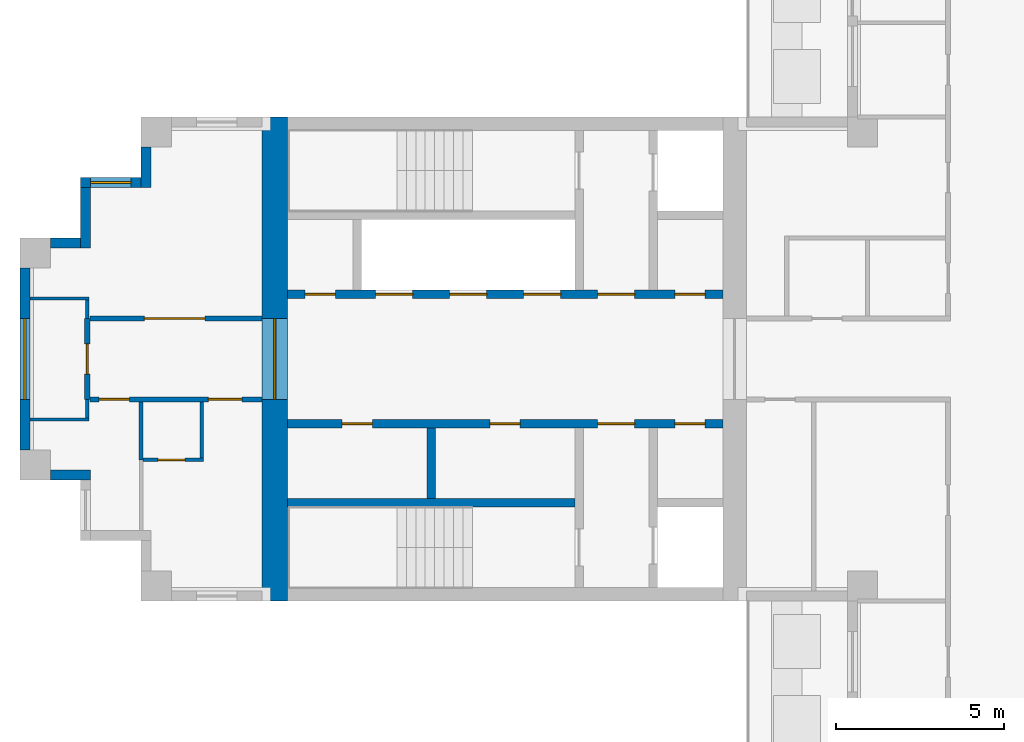
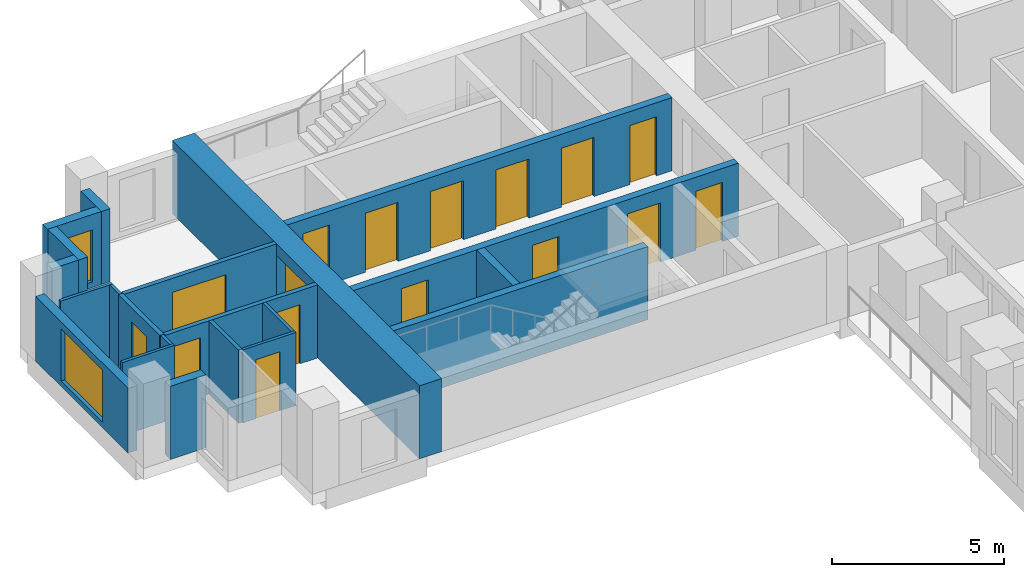
# One storey, part 3 of 10: 21 walls, 16 doors, 2 windows, 18 openings.
"""IFC4 building model written with IfcOpenShell, lengths in metres."""

from ifc_helpers import new_model, si_unit, direction, frame, frame_2d, origin, place, context, subcontext, project, spatial, rectangle, extrude, material, layer, layer_set, type_object, element, fill, save


model = new_model("IFC4")

# Units and contexts
model_context = context("Model", 3, precision=1e-05, world=origin(), true_north=direction((0.0, 1.0)))
body_context = subcontext(model_context, "Body", "Model", "MODEL_VIEW")
ifc_project = project(units=[si_unit("LENGTHUNIT", "METRE"), si_unit("AREAUNIT", "SQUARE_METRE"), si_unit("VOLUMEUNIT", "CUBIC_METRE"), si_unit("PLANEANGLEUNIT", "RADIAN"), si_unit("MASSUNIT", "GRAM", prefix="KILO")], contexts=[model_context])

# Site, building, storey
site_placement = place(None, origin())
site = spatial("IfcSite", under=ifc_project, at=site_placement, CompositionType="ELEMENT")
building_placement = place(site_placement, origin())
building = spatial("IfcBuilding", under=site, at=building_placement, Name="Fustian Cross Tower", CompositionType="ELEMENT")
storey_placement = place(building_placement, frame((0.0, 0.0, 228.89990234375)))
storey = spatial("IfcBuildingStorey", under=building, at=storey_placement, Name="L72", CompositionType="ELEMENT", Elevation=228.89990234375)

# Wall, opening, door
ifc_material_1 = material(Name="Plasterboard on steel stud", Category="steel")
ifc_layer_1 = layer(ifc_material_1, 0.14990234375)
ifc_layer_set_1 = layer_set([ifc_layer_1], Name="Plasterboard on steel stud")
wall_type_1 = type_object("IfcWallType", Name="COMPARTMENT WALL 150 EI 60", PredefinedType="PARTITIONING", material=ifc_layer_set_1)
wall_1_placement = place(storey_placement, frame((-26.800048828125, -1.199951171875, 0.0), z_axis=(0.0, 0.0, 1.0), x_axis=(0.0, 1.0, 0.0)))
wall_1 = element("IfcWall", 1, at=wall_1_placement, inside=storey, type_object=wall_type_1, Name="Partition 4", PredefinedType="PARTITIONING", context=body_context, shape_type="SweptSolid", body=[
    extrude(rectangle(XDim=2.39990234375, YDim=0.14990234375, at=frame_2d((1.199951171875, 0.0))), origin(), (0.0, 0.0, 1.0), 2.60009765625),
])
opening_1_placement = place(wall_1_placement, frame((0.75, 0.0, 0.0)))
opening_1 = element("IfcOpeningElement", 2, at=opening_1_placement, cuts=wall_1, Name="Opening D32024", PredefinedType="OPENING", context=body_context, shape_type="SweptSolid", body=[
    extrude(rectangle(XDim=0.89990234375, YDim=2.10009765625, at=frame_2d((0.449951171875, 1.050048828125))), frame((0.0, 0.0849609375, 0.0), z_axis=(0.0, -1.0, 0.0), x_axis=(1.0, 0.0, 0.0)), (0.0, 0.0, 1.0), 0.169921875),
])
ifc_material_2 = material(Name="Timber fire door set", Category="wood")
door_type_1 = type_object("IfcDoorType", Name="FIRE SWING DOOR 900 FD30S", OperationType="SINGLE_SWING_LEFT", PredefinedType="DOOR", material=ifc_material_2)
door_1_placement = place(opening_1_placement, origin())
door_1 = element("IfcDoor", 3, at=door_1_placement, inside=storey, type_object=door_type_1, Name="Door D32024", OperationType="SINGLE_SWING_LEFT", OverallHeight=2.10009765625, OverallWidth=0.89990234375, PredefinedType="DOOR", context=body_context, shape_type="SweptSolid", body=[
    extrude(rectangle(XDim=0.89990234375, YDim=2.10009765625, at=frame_2d((0.449951171875, 1.050048828125))), frame((0.0, 0.02490234375, 0.0), z_axis=(0.0, -1.0, 0.0), x_axis=(1.0, 0.0, 0.0)), (0.0, 0.0, 1.0), 0.050048828125),
])
fill(opening_1, door_1)

# Wall, openings, doors
wall_2_placement = place(storey_placement, frame((-26.72509765625, -1.199951171875, 0.0), z_axis=(0.0, 0.0, 1.0), x_axis=(1.0, 0.0, 0.0)))
wall_2 = element("IfcWall", 4, at=wall_2_placement, inside=storey, type_object=wall_type_1, Name="Partition 5", PredefinedType="PARTITIONING", context=body_context, shape_type="SweptSolid", body=[
    extrude(rectangle(XDim=5.125, YDim=0.14990234375, at=frame_2d((2.5625, 0.0))), origin(), (0.0, 0.0, 1.0), 2.60009765625),
])
opening_2_placement = place(wall_2_placement, frame((3.52490234375, 0.0, 0.0)))
opening_2 = element("IfcOpeningElement", 5, at=opening_2_placement, cuts=wall_2, Name="Opening D32026", PredefinedType="OPENING", context=body_context, shape_type="SweptSolid", body=[
    extrude(rectangle(XDim=1.0, YDim=2.10009765625, at=frame_2d((0.5, 1.050048828125))), frame((0.0, 0.0849609375, 0.0), z_axis=(0.0, -1.0, 0.0), x_axis=(1.0, 0.0, 0.0)), (0.0, 0.0, 1.0), 0.169921875),
])
opening_3_placement = place(wall_2_placement, frame((0.27490234375, 0.0, 0.0)))
opening_3 = element("IfcOpeningElement", 6, at=opening_3_placement, cuts=wall_2, Name="Opening D32027", PredefinedType="OPENING", context=body_context, shape_type="SweptSolid", body=[
    extrude(rectangle(XDim=0.89990234375, YDim=2.10009765625, at=frame_2d((0.449951171875, 1.050048828125))), frame((0.0, 0.0849609375, 0.0), z_axis=(0.0, -1.0, 0.0), x_axis=(1.0, 0.0, 0.0)), (0.0, 0.0, 1.0), 0.169921875),
])
ifc_material_3 = material(Name="Timber fire door set", Category="wood")
door_type_2 = type_object("IfcDoorType", Name="FIRE SWING DOOR 1000 FD30S", OperationType="SINGLE_SWING_LEFT", PredefinedType="DOOR", material=ifc_material_3)
door_2_placement = place(opening_2_placement, frame((1.0, 0.0, 0.0), z_axis=(0.0, 0.0, 1.0), x_axis=(-1.0, 0.0, 0.0)))
door_2 = element("IfcDoor", 7, at=door_2_placement, inside=storey, type_object=door_type_2, Name="Door D32026", OperationType="SINGLE_SWING_RIGHT", OverallHeight=2.10009765625, OverallWidth=1.0, PredefinedType="DOOR", context=body_context, shape_type="SweptSolid", body=[
    extrude(rectangle(XDim=1.0, YDim=2.10009765625, at=frame_2d((0.5, 1.050048828125))), frame((0.0, 0.02490234375, 0.0), z_axis=(0.0, -1.0, 0.0), x_axis=(1.0, 0.0, 0.0)), (0.0, 0.0, 1.0), 0.050048828125),
])
fill(opening_2, door_2)
door_3_placement = place(opening_3_placement, frame((0.89990234375, 0.0, 0.0), z_axis=(0.0, 0.0, 1.0), x_axis=(-1.0, 0.0, 0.0)))
door_3 = element("IfcDoor", 8, at=door_3_placement, inside=storey, type_object=door_type_1, Name="Door D32027", OperationType="SINGLE_SWING_RIGHT", OverallHeight=2.10009765625, OverallWidth=0.89990234375, PredefinedType="DOOR", context=body_context, shape_type="SweptSolid", body=[
    extrude(rectangle(XDim=0.89990234375, YDim=2.10009765625, at=frame_2d((0.449951171875, 1.050048828125))), frame((0.0, 0.02490234375, 0.0), z_axis=(0.0, -1.0, 0.0), x_axis=(1.0, 0.0, 0.0)), (0.0, 0.0, 1.0), 0.050048828125),
])
fill(opening_3, door_3)

# Wall, opening, door
wall_3_placement = place(storey_placement, frame((-26.72509765625, 1.199951171875, 0.0), z_axis=(0.0, 0.0, 1.0), x_axis=(1.0, 0.0, 0.0)))
wall_3 = element("IfcWall", 9, at=wall_3_placement, inside=storey, type_object=wall_type_1, Name="Partition 7", PredefinedType="PARTITIONING", context=body_context, shape_type="SweptSolid", body=[
    extrude(rectangle(XDim=5.125, YDim=0.14990234375, at=frame_2d((2.5625, 0.0))), origin(), (0.0, 0.0, 1.0), 2.60009765625),
])
opening_4_placement = place(wall_3_placement, frame((1.625, 0.0, 0.0)))
opening_4 = element("IfcOpeningElement", 10, at=opening_4_placement, cuts=wall_3, Name="Opening D32028", PredefinedType="OPENING", context=body_context, shape_type="SweptSolid", body=[
    extrude(rectangle(XDim=1.800048828125, YDim=2.10009765625, at=frame_2d((0.89990234375, 1.050048828125))), frame((0.0, 0.0849609375, 0.0), z_axis=(0.0, -1.0, 0.0), x_axis=(1.0, 0.0, 0.0)), (0.0, 0.0, 1.0), 0.169921875),
])
ifc_material_4 = material(Name="Timber fire door set", Category="wood")
door_type_3 = type_object("IfcDoorType", Name="FIRE DOUBLE DOOR 1800 FD30S", OperationType="DOUBLE_DOOR_DOUBLE_SWING", PredefinedType="DOOR", material=ifc_material_4)
door_4_placement = place(opening_4_placement, frame((1.800048828125, 0.0, 0.0), z_axis=(0.0, 0.0, 1.0), x_axis=(-1.0, 0.0, 0.0)))
door_4 = element("IfcDoor", 11, at=door_4_placement, inside=storey, type_object=door_type_3, Name="Door D32028", OperationType="DOUBLE_DOOR_DOUBLE_SWING", OverallHeight=2.10009765625, OverallWidth=1.800048828125, PredefinedType="DOOR", context=body_context, shape_type="SweptSolid", body=[
    extrude(rectangle(XDim=1.800048828125, YDim=2.10009765625, at=frame_2d((0.89990234375, 1.050048828125))), frame((0.0, 0.02490234375, 0.0), z_axis=(0.0, -1.0, 0.0), x_axis=(1.0, 0.0, 0.0)), (0.0, 0.0, 1.0), 0.050048828125),
])
fill(opening_4, door_4)

ifc_material_5 = material(Name="Concrete C50/60", Category="concrete")
ifc_layer_2 = layer(ifc_material_5, 0.75)
ifc_layer_set_2 = layer_set([ifc_layer_2], Name="Concrete C50/60")
wall_type_2 = type_object("IfcWallType", Name="CORE END WALL 750 C50/60", PredefinedType="SHEAR", material=ifc_layer_set_2)
wall_4_placement = place(storey_placement, frame((-21.22509765625, -7.199951171875, 0.0), z_axis=(0.0, 0.0, 1.0), x_axis=(0.0, 1.0, 0.0)))
wall_4 = element("IfcWall", 12, at=wall_4_placement, inside=storey, type_object=wall_type_2, Name="Core end wall", PredefinedType="SHEAR", context=body_context, shape_type="SweptSolid", body=[
    extrude(rectangle(XDim=14.39990234375, YDim=0.75, at=frame_2d((7.199951171875, 0.0))), origin(), (0.0, 0.0, 1.0), 2.60009765625),
])
opening_5_placement = place(wall_4_placement, frame((6.0, 0.0, 0.0)))
opening_5 = element("IfcOpeningElement", 13, at=opening_5_placement, cuts=wall_4, Name="Opening CD-27-29", PredefinedType="OPENING", context=body_context, shape_type="SweptSolid", body=[
    extrude(rectangle(XDim=2.39990234375, YDim=2.199951171875, at=frame_2d((1.199951171875, 1.10009765625))), frame((0.0, 0.385009765625, 0.0), z_axis=(0.0, -1.0, 0.0), x_axis=(1.0, 0.0, 0.0)), (0.0, 0.0, 1.0), 0.77001953125),
])
ifc_material_6 = material(Name="Steel", Category="steel")
door_type_4 = type_object("IfcDoorType", Name="FIRE DOOR FD30S DOUBLE 2400X2200", OperationType="DOUBLE_DOOR_DOUBLE_SWING", PredefinedType="DOOR", material=ifc_material_6)
door_5_placement = place(opening_5_placement, frame((2.39990234375, 0.0, 0.0), z_axis=(0.0, 0.0, 1.0), x_axis=(-1.0, 0.0, 0.0)))
door_5 = element("IfcDoor", 14, at=door_5_placement, inside=storey, type_object=door_type_4, Name="Core door CD-27-29", OperationType="DOUBLE_DOOR_DOUBLE_SWING", OverallHeight=2.199951171875, OverallWidth=2.39990234375, PredefinedType="DOOR", context=body_context, shape_type="SweptSolid", body=[
    extrude(rectangle(XDim=2.39990234375, YDim=2.199951171875, at=frame_2d((1.199951171875, 1.10009765625))), frame((0.0, 0.02490234375, 0.0), z_axis=(0.0, -1.0, 0.0), x_axis=(1.0, 0.0, 0.0)), (0.0, 0.0, 1.0), 0.050048828125),
])
fill(opening_5, door_5)

# Wall, openings, doors
ifc_material_7 = material(Name="Concrete C50/60", Category="concrete")
ifc_layer_3 = layer(ifc_material_7, 0.25)
ifc_layer_set_3 = layer_set([ifc_layer_3], Name="Concrete C50/60")
wall_type_3 = type_object("IfcWallType", Name="CORE LOBBY WALL 250 C50/60", PredefinedType="SHEAR", material=ifc_layer_set_3)
wall_5_placement = place(storey_placement, frame((-7.89990234375, 1.925048828125, 0.0), z_axis=(0.0, 0.0, 1.0), x_axis=(-1.0, 0.0, 0.0)))
wall_5 = element("IfcWall", 15, at=wall_5_placement, inside=storey, type_object=wall_type_3, Name="Core lobby wall", PredefinedType="SHEAR", context=body_context, shape_type="SweptSolid", body=[
    extrude(rectangle(XDim=12.9501953125, YDim=0.25, at=frame_2d((6.47509765625, 0.0))), origin(), (0.0, 0.0, 1.0), 2.60009765625),
])
opening_6_placement = place(wall_5_placement, frame((4.824951171875, 0.0, 0.0)))
opening_6 = element("IfcOpeningElement", 16, at=opening_6_placement, cuts=wall_5, Name="Opening LD", PredefinedType="OPENING", context=body_context, shape_type="SweptSolid", body=[
    extrude(rectangle(XDim=1.10009765625, YDim=2.10009765625, at=frame_2d((0.550048828125, 1.050048828125))), frame((0.0, 0.135009765625, 0.0), z_axis=(0.0, -1.0, 0.0), x_axis=(1.0, 0.0, 0.0)), (0.0, 0.0, 1.0), 0.27001953125),
])
opening_7_placement = place(wall_5_placement, frame((7.02490234375, 0.0, 0.0)))
opening_7 = element("IfcOpeningElement", 17, at=opening_7_placement, cuts=wall_5, Name="Opening LD", PredefinedType="OPENING", context=body_context, shape_type="SweptSolid", body=[
    extrude(rectangle(XDim=1.10009765625, YDim=2.10009765625, at=frame_2d((0.550048828125, 1.050048828125))), frame((0.0, 0.135009765625, 0.0), z_axis=(0.0, -1.0, 0.0), x_axis=(1.0, 0.0, 0.0)), (0.0, 0.0, 1.0), 0.27001953125),
])
opening_8_placement = place(wall_5_placement, frame((9.22509765625, 0.0, 0.0)))
opening_8 = element("IfcOpeningElement", 18, at=opening_8_placement, cuts=wall_5, Name="Opening LD", PredefinedType="OPENING", context=body_context, shape_type="SweptSolid", body=[
    extrude(rectangle(XDim=1.10009765625, YDim=2.10009765625, at=frame_2d((0.550048828125, 1.050048828125))), frame((0.0, 0.135009765625, 0.0), z_axis=(0.0, -1.0, 0.0), x_axis=(1.0, 0.0, 0.0)), (0.0, 0.0, 1.0), 0.27001953125),
])
opening_9_placement = place(wall_5_placement, frame((0.52490234375, 0.0, 0.0)))
opening_9 = element("IfcOpeningElement", 19, at=opening_9_placement, cuts=wall_5, Name="Opening CD-27-24", PredefinedType="OPENING", context=body_context, shape_type="SweptSolid", body=[
    extrude(rectangle(XDim=0.89990234375, YDim=2.10009765625, at=frame_2d((0.449951171875, 1.050048828125))), frame((0.0, 0.135009765625, 0.0), z_axis=(0.0, -1.0, 0.0), x_axis=(1.0, 0.0, 0.0)), (0.0, 0.0, 1.0), 0.27001953125),
])
opening_10_placement = place(wall_5_placement, frame((2.625, 0.0, 0.0)))
opening_10 = element("IfcOpeningElement", 20, at=opening_10_placement, cuts=wall_5, Name="Opening CD-27-26", PredefinedType="OPENING", context=body_context, shape_type="SweptSolid", body=[
    extrude(rectangle(XDim=1.10009765625, YDim=2.10009765625, at=frame_2d((0.550048828125, 1.050048828125))), frame((0.0, 0.135009765625, 0.0), z_axis=(0.0, -1.0, 0.0), x_axis=(1.0, 0.0, 0.0)), (0.0, 0.0, 1.0), 0.27001953125),
])
opening_11_placement = place(wall_5_placement, frame((11.52490234375, 0.0, 0.0)))
opening_11 = element("IfcOpeningElement", 21, at=opening_11_placement, cuts=wall_5, Name="Opening CD-27-30", PredefinedType="OPENING", context=body_context, shape_type="SweptSolid", body=[
    extrude(rectangle(XDim=0.89990234375, YDim=2.10009765625, at=frame_2d((0.449951171875, 1.050048828125))), frame((0.0, 0.135009765625, 0.0), z_axis=(0.0, -1.0, 0.0), x_axis=(1.0, 0.0, 0.0)), (0.0, 0.0, 1.0), 0.27001953125),
])
ifc_material_8 = material(Name="Steel", Category="steel")
door_type_5 = type_object("IfcDoorType", Name="FIRE DOOR FD30S 900X2100", OperationType="SINGLE_SWING_LEFT", PredefinedType="DOOR", material=ifc_material_8)
door_6_placement = place(opening_11_placement, frame((0.89990234375, 0.0, 0.0), z_axis=(0.0, 0.0, 1.0), x_axis=(-1.0, 0.0, 0.0)))
door_6 = element("IfcDoor", 22, at=door_6_placement, inside=storey, type_object=door_type_5, Name="Core door CD-27-30", OperationType="SINGLE_SWING_RIGHT", OverallHeight=2.10009765625, OverallWidth=0.89990234375, PredefinedType="DOOR", context=body_context, shape_type="SweptSolid", body=[
    extrude(rectangle(XDim=0.89990234375, YDim=2.10009765625, at=frame_2d((0.449951171875, 1.050048828125))), frame((0.0, 0.02490234375, 0.0), z_axis=(0.0, -1.0, 0.0), x_axis=(1.0, 0.0, 0.0)), (0.0, 0.0, 1.0), 0.050048828125),
])
fill(opening_11, door_6)
ifc_material_9 = material(Name="Steel", Category="steel")
door_type_6 = type_object("IfcDoorType", Name="FIRE DOOR FD60S 1100X2100", OperationType="SINGLE_SWING_LEFT", PredefinedType="DOOR", material=ifc_material_9)
door_7_placement = place(opening_10_placement, frame((1.10009765625, 0.0, 0.0), z_axis=(0.0, 0.0, 1.0), x_axis=(-1.0, 0.0, 0.0)))
door_7 = element("IfcDoor", 23, at=door_7_placement, inside=storey, type_object=door_type_6, Name="Core door CD-27-26", OperationType="SINGLE_SWING_RIGHT", OverallHeight=2.10009765625, OverallWidth=1.10009765625, PredefinedType="DOOR", context=body_context, shape_type="SweptSolid", body=[
    extrude(rectangle(XDim=1.10009765625, YDim=2.10009765625, at=frame_2d((0.550048828125, 1.050048828125))), frame((0.0, 0.02490234375, 0.0), z_axis=(0.0, -1.0, 0.0), x_axis=(1.0, 0.0, 0.0)), (0.0, 0.0, 1.0), 0.050048828125),
])
fill(opening_10, door_7)
ifc_material_10 = material(Name="Steel", Category="steel")
door_type_7 = type_object("IfcDoorType", Name="FIRE DOOR FD60S 900X2100", OperationType="SINGLE_SWING_LEFT", PredefinedType="DOOR", material=ifc_material_10)
door_8_placement = place(opening_9_placement, frame((0.89990234375, 0.0, 0.0), z_axis=(0.0, 0.0, 1.0), x_axis=(-1.0, 0.0, 0.0)))
door_8 = element("IfcDoor", 24, at=door_8_placement, inside=storey, type_object=door_type_7, Name="Core door CD-27-24", OperationType="SINGLE_SWING_RIGHT", OverallHeight=2.10009765625, OverallWidth=0.89990234375, PredefinedType="DOOR", context=body_context, shape_type="SweptSolid", body=[
    extrude(rectangle(XDim=0.89990234375, YDim=2.10009765625, at=frame_2d((0.449951171875, 1.050048828125))), frame((0.0, 0.02490234375, 0.0), z_axis=(0.0, -1.0, 0.0), x_axis=(1.0, 0.0, 0.0)), (0.0, 0.0, 1.0), 0.050048828125),
])
fill(opening_9, door_8)
ifc_material_11 = material(Name="Stainless steel", Category="steel")
door_type_8 = type_object("IfcDoorType", Name="LIFT LANDING DOOR 1100X2100", OperationType="SLIDING_TO_LEFT", PredefinedType="DOOR", material=ifc_material_11)
door_9_placement = place(opening_6_placement, origin())
door_9 = element("IfcDoor", 25, at=door_9_placement, inside=storey, type_object=door_type_8, Name="Landing door HR1W", OperationType="SLIDING_TO_LEFT", OverallHeight=2.10009765625, OverallWidth=1.10009765625, PredefinedType="DOOR", context=body_context, shape_type="SweptSolid", body=[
    extrude(rectangle(XDim=1.10009765625, YDim=2.10009765625, at=frame_2d((0.550048828125, 1.050048828125))), frame((0.0, 0.02490234375, 0.0), z_axis=(0.0, -1.0, 0.0), x_axis=(1.0, 0.0, 0.0)), (0.0, 0.0, 1.0), 0.050048828125),
])
fill(opening_6, door_9)
door_10_placement = place(opening_7_placement, origin())
door_10 = element("IfcDoor", 26, at=door_10_placement, inside=storey, type_object=door_type_8, Name="Landing door HR2W", OperationType="SLIDING_TO_LEFT", OverallHeight=2.10009765625, OverallWidth=1.10009765625, PredefinedType="DOOR", context=body_context, shape_type="SweptSolid", body=[
    extrude(rectangle(XDim=1.10009765625, YDim=2.10009765625, at=frame_2d((0.550048828125, 1.050048828125))), frame((0.0, 0.02490234375, 0.0), z_axis=(0.0, -1.0, 0.0), x_axis=(1.0, 0.0, 0.0)), (0.0, 0.0, 1.0), 0.050048828125),
])
fill(opening_7, door_10)
door_11_placement = place(opening_8_placement, origin())
door_11 = element("IfcDoor", 27, at=door_11_placement, inside=storey, type_object=door_type_8, Name="Landing door HR3W", OperationType="SLIDING_TO_LEFT", OverallHeight=2.10009765625, OverallWidth=1.10009765625, PredefinedType="DOOR", context=body_context, shape_type="SweptSolid", body=[
    extrude(rectangle(XDim=1.10009765625, YDim=2.10009765625, at=frame_2d((0.550048828125, 1.050048828125))), frame((0.0, 0.02490234375, 0.0), z_axis=(0.0, -1.0, 0.0), x_axis=(1.0, 0.0, 0.0)), (0.0, 0.0, 1.0), 0.050048828125),
])
fill(opening_8, door_11)

wall_6_placement = place(storey_placement, frame((-7.89990234375, -1.925048828125, 0.0), z_axis=(0.0, 0.0, 1.0), x_axis=(-1.0, 0.0, 0.0)))
wall_6 = element("IfcWall", 28, at=wall_6_placement, inside=storey, type_object=wall_type_3, Name="Core lobby wall", PredefinedType="SHEAR", context=body_context, shape_type="SweptSolid", body=[
    extrude(rectangle(XDim=12.9501953125, YDim=0.25, at=frame_2d((6.47509765625, 0.0))), origin(), (0.0, 0.0, 1.0), 2.60009765625),
])
opening_12_placement = place(wall_6_placement, frame((0.52490234375, 0.0, 0.0)))
opening_12 = element("IfcOpeningElement", 29, at=opening_12_placement, cuts=wall_6, Name="Opening CD-27-25", PredefinedType="OPENING", context=body_context, shape_type="SweptSolid", body=[
    extrude(rectangle(XDim=0.89990234375, YDim=2.10009765625, at=frame_2d((0.449951171875, 1.050048828125))), frame((0.0, 0.135009765625, 0.0), z_axis=(0.0, -1.0, 0.0), x_axis=(1.0, 0.0, 0.0)), (0.0, 0.0, 1.0), 0.27001953125),
])
opening_13_placement = place(wall_6_placement, frame((2.625, 0.0, 0.0)))
opening_13 = element("IfcOpeningElement", 30, at=opening_13_placement, cuts=wall_6, Name="Opening CD-27-27", PredefinedType="OPENING", context=body_context, shape_type="SweptSolid", body=[
    extrude(rectangle(XDim=1.10009765625, YDim=2.10009765625, at=frame_2d((0.550048828125, 1.050048828125))), frame((0.0, 0.135009765625, 0.0), z_axis=(0.0, -1.0, 0.0), x_axis=(1.0, 0.0, 0.0)), (0.0, 0.0, 1.0), 0.27001953125),
])
opening_14_placement = place(wall_6_placement, frame((6.02490234375, 0.0, 0.0)))
opening_14 = element("IfcOpeningElement", 31, at=opening_14_placement, cuts=wall_6, Name="Opening CD-27-31", PredefinedType="OPENING", context=body_context, shape_type="SweptSolid", body=[
    extrude(rectangle(XDim=0.89990234375, YDim=2.10009765625, at=frame_2d((0.449951171875, 1.050048828125))), frame((0.0, 0.135009765625, 0.0), z_axis=(0.0, -1.0, 0.0), x_axis=(1.0, 0.0, 0.0)), (0.0, 0.0, 1.0), 0.27001953125),
])
opening_15_placement = place(wall_6_placement, frame((10.425048828125, 0.0, 0.0)))
opening_15 = element("IfcOpeningElement", 32, at=opening_15_placement, cuts=wall_6, Name="Opening CD-27-32", PredefinedType="OPENING", context=body_context, shape_type="SweptSolid", body=[
    extrude(rectangle(XDim=0.89990234375, YDim=2.10009765625, at=frame_2d((0.449951171875, 1.050048828125))), frame((0.0, 0.135009765625, 0.0), z_axis=(0.0, -1.0, 0.0), x_axis=(1.0, 0.0, 0.0)), (0.0, 0.0, 1.0), 0.27001953125),
])
ifc_material_12 = material(Name="Steel", Category="steel")
door_type_9 = type_object("IfcDoorType", Name="FIRE DOOR FD30S 1100X2100", OperationType="SINGLE_SWING_LEFT", PredefinedType="DOOR", material=ifc_material_12)
door_12_placement = place(opening_13_placement, frame((1.10009765625, 0.0, 0.0), z_axis=(0.0, 0.0, 1.0), x_axis=(-1.0, 0.0, 0.0)))
door_12 = element("IfcDoor", 33, at=door_12_placement, inside=storey, type_object=door_type_9, Name="Core door CD-27-27", OperationType="SINGLE_SWING_RIGHT", OverallHeight=2.10009765625, OverallWidth=1.10009765625, PredefinedType="DOOR", context=body_context, shape_type="SweptSolid", body=[
    extrude(rectangle(XDim=1.10009765625, YDim=2.10009765625, at=frame_2d((0.550048828125, 1.050048828125))), frame((0.0, 0.02490234375, 0.0), z_axis=(0.0, -1.0, 0.0), x_axis=(1.0, 0.0, 0.0)), (0.0, 0.0, 1.0), 0.050048828125),
])
fill(opening_13, door_12)
door_13_placement = place(opening_12_placement, origin())
door_13 = element("IfcDoor", 34, at=door_13_placement, inside=storey, type_object=door_type_5, Name="Core door CD-27-25", OperationType="SINGLE_SWING_LEFT", OverallHeight=2.10009765625, OverallWidth=0.89990234375, PredefinedType="DOOR", context=body_context, shape_type="SweptSolid", body=[
    extrude(rectangle(XDim=0.89990234375, YDim=2.10009765625, at=frame_2d((0.449951171875, 1.050048828125))), frame((0.0, 0.02490234375, 0.0), z_axis=(0.0, -1.0, 0.0), x_axis=(1.0, 0.0, 0.0)), (0.0, 0.0, 1.0), 0.050048828125),
])
fill(opening_12, door_13)
door_14_placement = place(opening_14_placement, origin())
door_14 = element("IfcDoor", 35, at=door_14_placement, inside=storey, type_object=door_type_5, Name="Core door CD-27-31", OperationType="SINGLE_SWING_RIGHT", OverallHeight=2.10009765625, OverallWidth=0.89990234375, PredefinedType="DOOR", context=body_context, shape_type="SweptSolid", body=[
    extrude(rectangle(XDim=0.89990234375, YDim=2.10009765625, at=frame_2d((0.449951171875, 1.050048828125))), frame((0.0, 0.02490234375, 0.0), z_axis=(0.0, -1.0, 0.0), x_axis=(1.0, 0.0, 0.0)), (0.0, 0.0, 1.0), 0.050048828125),
])
fill(opening_14, door_14)
door_15_placement = place(opening_15_placement, origin())
door_15 = element("IfcDoor", 36, at=door_15_placement, inside=storey, type_object=door_type_5, Name="Core door CD-27-32", OperationType="SINGLE_SWING_RIGHT", OverallHeight=2.10009765625, OverallWidth=0.89990234375, PredefinedType="DOOR", context=body_context, shape_type="SweptSolid", body=[
    extrude(rectangle(XDim=0.89990234375, YDim=2.10009765625, at=frame_2d((0.449951171875, 1.050048828125))), frame((0.0, 0.02490234375, 0.0), z_axis=(0.0, -1.0, 0.0), x_axis=(1.0, 0.0, 0.0)), (0.0, 0.0, 1.0), 0.050048828125),
])
fill(opening_15, door_15)

# Walls
ifc_material_13 = material(Name="Concrete C50/60", Category="concrete")
ifc_layer_4 = layer(ifc_material_13, 0.25)
ifc_layer_set_4 = layer_set([ifc_layer_4], Name="Concrete C50/60")
wall_type_4 = type_object("IfcWallType", Name="CORE SHAFT WALL 250 C50/60", PredefinedType="SHEAR", material=ifc_layer_set_4)
wall_7_placement = place(storey_placement, frame((-12.300048828125, -4.27490234375, 0.0), z_axis=(0.0, 0.0, 1.0), x_axis=(-1.0, 0.0, 0.0)))
element("IfcWall", 37, at=wall_7_placement, inside=storey, type_object=wall_type_4, Name="Core shaft wall", PredefinedType="SHEAR", context=body_context, shape_type="SweptSolid", body=[
    extrude(rectangle(XDim=8.550048828125, YDim=0.25, at=frame_2d((4.27490234375, 0.0))), origin(), (0.0, 0.0, 1.0), 2.60009765625),
])
ifc_material_14 = material(Name="Plasterboard on steel stud", Category="steel")
ifc_layer_5 = layer(ifc_material_14, 0.10009765625)
ifc_layer_set_5 = layer_set([ifc_layer_5], Name="Plasterboard on steel stud")
wall_type_5 = type_object("IfcWallType", Name="PARTITION 100 STUD", PredefinedType="PARTITIONING", material=ifc_layer_set_5)
for number, where, z_axis, x_axis, name in (
    (38, (-28.5, -1.800048828125, 0.0), (0.0, 0.0, 1.0), (1.0, 0.0, 0.0), "Partition 1"),
    (39, (-28.5, 1.800048828125, 0.0), (0.0, 0.0, 1.0), (1.0, 0.0, 0.0), "Partition 2"),
):
    element("IfcWall", number, at=place(storey_placement, frame(where, z_axis=z_axis, x_axis=x_axis)), inside=storey, type_object=wall_type_5, Name=name, PredefinedType="PARTITIONING", context=body_context, shape_type="SweptSolid", body=[
        extrude(rectangle(XDim=1.75, YDim=0.10009765625, at=frame_2d((0.875, 0.0))), origin(), (0.0, 0.0, 1.0), 2.60009765625),
    ])
for number, where, z_axis, x_axis, name in (
    (40, (-26.800048828125, -1.75, 0.0), (0.0, 0.0, 1.0), (0.0, 1.0, 0.0), "Partition 3"),
    (41, (-26.800048828125, 1.199951171875, 0.0), (0.0, 0.0, 1.0), (0.0, 1.0, 0.0), "Partition 6"),
):
    element("IfcWall", number, at=place(storey_placement, frame(where, z_axis=z_axis, x_axis=x_axis)), inside=storey, type_object=wall_type_5, Name=name, PredefinedType="PARTITIONING", context=body_context, shape_type="SweptSolid", body=[
        extrude(rectangle(XDim=0.550048828125, YDim=0.10009765625, at=frame_2d((0.27490234375, 0.0))), origin(), (0.0, 0.0, 1.0), 2.60009765625),
    ])

# Wall, opening, door
wall_8_placement = place(storey_placement, frame((-25.137451171875, -3.0, 0.0), z_axis=(0.0, 0.0, 1.0), x_axis=(1.0, 0.0, 0.0)))
wall_8 = element("IfcWall", 42, at=wall_8_placement, inside=storey, type_object=wall_type_5, Name="Partition 10", PredefinedType="PARTITIONING", context=body_context, shape_type="SweptSolid", body=[
    extrude(rectangle(XDim=1.787353515625, YDim=0.10009765625, at=frame_2d((0.8935546875, 0.0))), origin(), (0.0, 0.0, 1.0), 2.60009765625),
])
opening_16_placement = place(wall_8_placement, frame((0.4375, 0.0, 0.0)))
opening_16 = element("IfcOpeningElement", 43, at=opening_16_placement, cuts=wall_8, Name="Opening D32025", PredefinedType="OPENING", context=body_context, shape_type="SweptSolid", body=[
    extrude(rectangle(XDim=0.800048828125, YDim=2.10009765625, at=frame_2d((0.39990234375, 1.050048828125))), frame((0.0, 0.06005859375, 0.0), z_axis=(0.0, -1.0, 0.0), x_axis=(1.0, 0.0, 0.0)), (0.0, 0.0, 1.0), 0.1201171875),
])
ifc_material_15 = material(Name="Painted timber", Category="wood")
door_type_10 = type_object("IfcDoorType", Name="SWING DOOR 800", OperationType="SINGLE_SWING_LEFT", PredefinedType="DOOR", material=ifc_material_15)
door_16_placement = place(opening_16_placement, origin())
door_16 = element("IfcDoor", 44, at=door_16_placement, inside=storey, type_object=door_type_10, Name="Door D32025", OperationType="SINGLE_SWING_RIGHT", OverallHeight=2.10009765625, OverallWidth=0.800048828125, PredefinedType="DOOR", context=body_context, shape_type="SweptSolid", body=[
    extrude(rectangle(XDim=0.800048828125, YDim=2.10009765625, at=frame_2d((0.39990234375, 1.050048828125))), frame((0.0, 0.02490234375, 0.0), z_axis=(0.0, -1.0, 0.0), x_axis=(1.0, 0.0, 0.0)), (0.0, 0.0, 1.0), 0.050048828125),
])
fill(opening_16, door_16)

# Walls
wall_9_placement = place(storey_placement, frame((-23.39990234375, -2.949951171875, 0.0), z_axis=(0.0, 0.0, 1.0), x_axis=(0.0, 1.0, 0.0)))
element("IfcWall", 45, at=wall_9_placement, inside=storey, type_object=wall_type_5, Name="Partition 11", PredefinedType="PARTITIONING", context=body_context, shape_type="SweptSolid", body=[
    extrude(rectangle(XDim=1.675048828125, YDim=0.10009765625, at=frame_2d((0.83740234375, 0.0))), origin(), (0.0, 0.0, 1.0), 2.60009765625),
])
ifc_material_16 = material(Name="Concrete C40/50", Category="concrete")
ifc_layer_6 = layer(ifc_material_16, 0.25)
ifc_layer_set_6 = layer_set([ifc_layer_6], Name="Concrete C40/50")
wall_type_6 = type_object("IfcWallType", Name="SHAFT PARTITION WALL 250 C40/50", PredefinedType="PARTITIONING", material=ifc_layer_set_6)
wall_10_placement = place(storey_placement, frame((-16.574951171875, -2.050048828125, 0.0), z_axis=(0.0, 0.0, 1.0), x_axis=(0.0, -1.0, 0.0)))
element("IfcWall", 46, at=wall_10_placement, inside=storey, type_object=wall_type_6, Name="Core shaft wall", PredefinedType="PARTITIONING", context=body_context, shape_type="SweptSolid", body=[
    extrude(rectangle(XDim=2.099853515625, YDim=0.25, at=frame_2d((1.0498046875, 0.0))), origin(), (0.0, 0.0, 1.0), 2.60009765625),
])
ifc_material_17 = material(Name="Plasterboard on steel stud", Category="steel")
ifc_layer_7 = layer(ifc_material_17, 0.125)
ifc_layer_set_7 = layer_set([ifc_layer_7], Name="Plasterboard on steel stud")
wall_type_7 = type_object("IfcWallType", Name="WET WALL 125 STUD", PredefinedType="PARTITIONING", material=ifc_layer_set_7)
wall_11_placement = place(storey_placement, frame((-25.199951171875, -3.0, 0.0), z_axis=(0.0, 0.0, 1.0), x_axis=(0.0, 1.0, 0.0)))
element("IfcWall", 47, at=wall_11_placement, inside=storey, type_object=wall_type_7, Name="Partition 9", PredefinedType="PARTITIONING", context=body_context, shape_type="SweptSolid", body=[
    extrude(rectangle(XDim=1.72509765625, YDim=0.125, at=frame_2d((0.862548828125, 0.0))), origin(), (0.0, 0.0, 1.0), 2.60009765625),
])
ifc_material_18 = material(Name="Dark aluminium cladding on insulated backing wall", Category="aluminium")
ifc_layer_8 = layer(ifc_material_18, 0.300048828125)
ifc_layer_set_8 = layer_set([ifc_layer_8], Name="Dark aluminium cladding on insulated backing wall")
wall_type_8 = type_object("IfcWallType", Name="XW1 EXTERNAL WALL 300", PredefinedType="SOLIDWALL", material=ifc_layer_set_8)
wall_12_placement = place(storey_placement, frame((-25.050048828125, 6.300048828125, 0.0), z_axis=(0.0, 0.0, 1.0), x_axis=(0.0, -1.0, 0.0)))
element("IfcWall", 48, at=wall_12_placement, inside=storey, type_object=wall_type_8, Name="External wall", PredefinedType="SOLIDWALL", context=body_context, shape_type="SweptSolid", body=[
    extrude(rectangle(XDim=1.199951171875, YDim=0.300048828125, at=frame_2d((0.60009765625, 0.0))), origin(), (0.0, 0.0, 1.0), 2.60009765625),
])

# Wall, opening, window
wall_13_placement = place(storey_placement, frame((-25.199951171875, 5.25, 0.0), z_axis=(0.0, 0.0, 1.0), x_axis=(-1.0, 0.0, 0.0)))
wall_13 = element("IfcWall", 49, at=wall_13_placement, inside=storey, type_object=wall_type_8, Name="External wall", PredefinedType="SOLIDWALL", context=body_context, shape_type="SweptSolid", body=[
    extrude(rectangle(XDim=1.800048828125, YDim=0.300048828125, at=frame_2d((0.89990234375, 0.0))), origin(), (0.0, 0.0, 1.0), 2.60009765625),
])
opening_17_placement = place(wall_13_placement, frame((0.300048828125, 0.0, 0.199951171875)))
opening_17 = element("IfcOpeningElement", 50, at=opening_17_placement, cuts=wall_13, Name="Opening WN3", PredefinedType="OPENING", context=body_context, shape_type="SweptSolid", body=[
    extrude(rectangle(XDim=1.199951171875, YDim=1.85009765625, at=frame_2d((0.60009765625, 0.925048828125))), frame((0.0, 0.159912109375, 0.0), z_axis=(0.0, -1.0, 0.0), x_axis=(1.0, 0.0, 0.0)), (0.0, 0.0, 1.0), 0.320068359375),
])
ifc_material_19 = material(Name="Dark anodised aluminium and double glazing", Category="aluminium")
window_type_1 = type_object("IfcWindowType", Name="WN3 WINDOW 1200X1850", PartitioningType="SINGLE_PANEL", PredefinedType="WINDOW", material=ifc_material_19)
window_1_placement = place(opening_17_placement, origin())
window_1 = element("IfcWindow", 51, at=window_1_placement, inside=storey, type_object=window_type_1, Name="Window", OverallHeight=1.85009765625, OverallWidth=1.199951171875, PartitioningType="SINGLE_PANEL", PredefinedType="WINDOW", context=body_context, shape_type="SweptSolid", body=[
    extrude(rectangle(XDim=1.199951171875, YDim=1.85009765625, at=frame_2d((0.60009765625, 0.925048828125))), frame((0.0, 0.030029296875, 0.0), z_axis=(0.0, -1.0, 0.0), x_axis=(1.0, 0.0, 0.0)), (0.0, 0.0, 1.0), 0.06005859375),
])
fill(opening_17, window_1)

# Walls
wall_14_placement = place(storey_placement, frame((-26.85009765625, 5.10009765625, 0.0), z_axis=(0.0, 0.0, 1.0), x_axis=(0.0, -1.0, 0.0)))
element("IfcWall", 52, at=wall_14_placement, inside=storey, type_object=wall_type_8, Name="External wall", PredefinedType="SOLIDWALL", context=body_context, shape_type="SweptSolid", body=[
    extrude(rectangle(XDim=1.800048828125, YDim=0.300048828125, at=frame_2d((0.89990234375, 0.0))), origin(), (0.0, 0.0, 1.0), 2.60009765625),
])
wall_15_placement = place(storey_placement, frame((-27.0, 3.449951171875, 0.0), z_axis=(0.0, 0.0, 1.0), x_axis=(-1.0, 0.0, 0.0)))
element("IfcWall", 53, at=wall_15_placement, inside=storey, type_object=wall_type_8, Name="External wall", PredefinedType="SOLIDWALL", context=body_context, shape_type="SweptSolid", body=[
    extrude(rectangle(XDim=0.89990234375, YDim=0.300048828125, at=frame_2d((0.449951171875, 0.0))), origin(), (0.0, 0.0, 1.0), 2.60009765625),
])

# Wall, opening, window
wall_16_placement = place(storey_placement, frame((-28.64990234375, 2.699951171875, 0.0), z_axis=(0.0, 0.0, 1.0), x_axis=(0.0, -1.0, 0.0)))
wall_16 = element("IfcWall", 54, at=wall_16_placement, inside=storey, type_object=wall_type_8, Name="External wall", PredefinedType="SOLIDWALL", context=body_context, shape_type="SweptSolid", body=[
    extrude(rectangle(XDim=5.39990234375, YDim=0.300048828125, at=frame_2d((2.699951171875, 0.0))), origin(), (0.0, 0.0, 1.0), 2.300048828125),
])
opening_18_placement = place(wall_16_placement, frame((1.5, 0.0, 0.199951171875)))
opening_18 = element("IfcOpeningElement", 55, at=opening_18_placement, cuts=wall_16, Name="Opening WN1", PredefinedType="OPENING", context=body_context, shape_type="SweptSolid", body=[
    extrude(rectangle(XDim=2.39990234375, YDim=1.85009765625, at=frame_2d((1.199951171875, 0.925048828125))), frame((0.0, 0.159912109375, 0.0), z_axis=(0.0, -1.0, 0.0), x_axis=(1.0, 0.0, 0.0)), (0.0, 0.0, 1.0), 0.320068359375),
])
ifc_material_20 = material(Name="Dark anodised aluminium and double glazing", Category="aluminium")
window_type_2 = type_object("IfcWindowType", Name="WN1 WINDOW 2400X1850", PartitioningType="SINGLE_PANEL", PredefinedType="WINDOW", material=ifc_material_20)
window_2_placement = place(opening_18_placement, origin())
window_2 = element("IfcWindow", 56, at=window_2_placement, inside=storey, type_object=window_type_2, Name="Window", OverallHeight=1.85009765625, OverallWidth=2.39990234375, PartitioningType="SINGLE_PANEL", PredefinedType="WINDOW", context=body_context, shape_type="SweptSolid", body=[
    extrude(rectangle(XDim=2.39990234375, YDim=1.85009765625, at=frame_2d((1.199951171875, 0.925048828125))), frame((0.0, 0.030029296875, 0.0), z_axis=(0.0, -1.0, 0.0), x_axis=(1.0, 0.0, 0.0)), (0.0, 0.0, 1.0), 0.06005859375),
])
fill(opening_18, window_2)

# Wall
wall_17_placement = place(storey_placement, frame((-27.89990234375, -3.449951171875, 0.0), z_axis=(0.0, 0.0, 1.0), x_axis=(1.0, 0.0, 0.0)))
element("IfcWall", 57, at=wall_17_placement, inside=storey, type_object=wall_type_8, Name="External wall", PredefinedType="SOLIDWALL", context=body_context, shape_type="SweptSolid", body=[
    extrude(rectangle(XDim=1.199951171875, YDim=0.300048828125, at=frame_2d((0.60009765625, 0.0))), origin(), (0.0, 0.0, 1.0), 2.60009765625),
])

save(model, "model.ifc")
